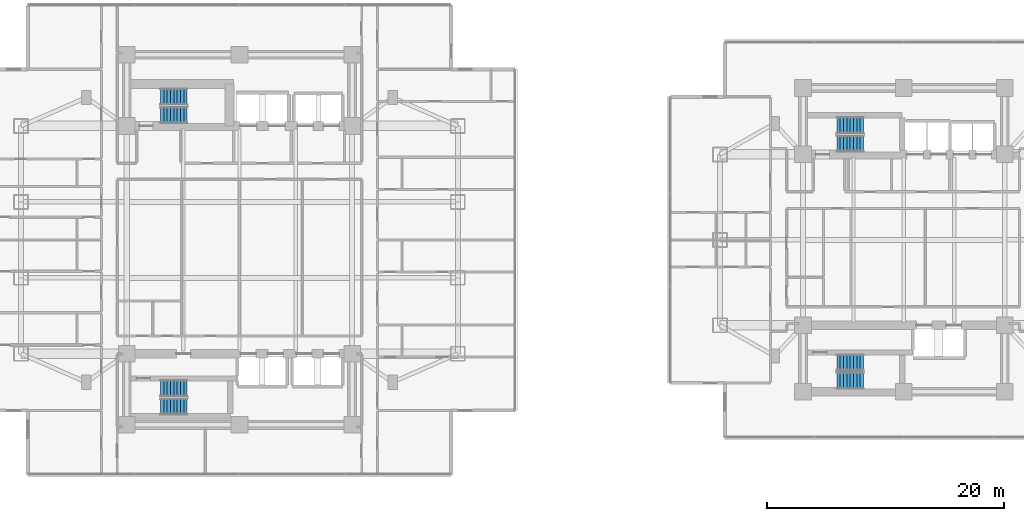
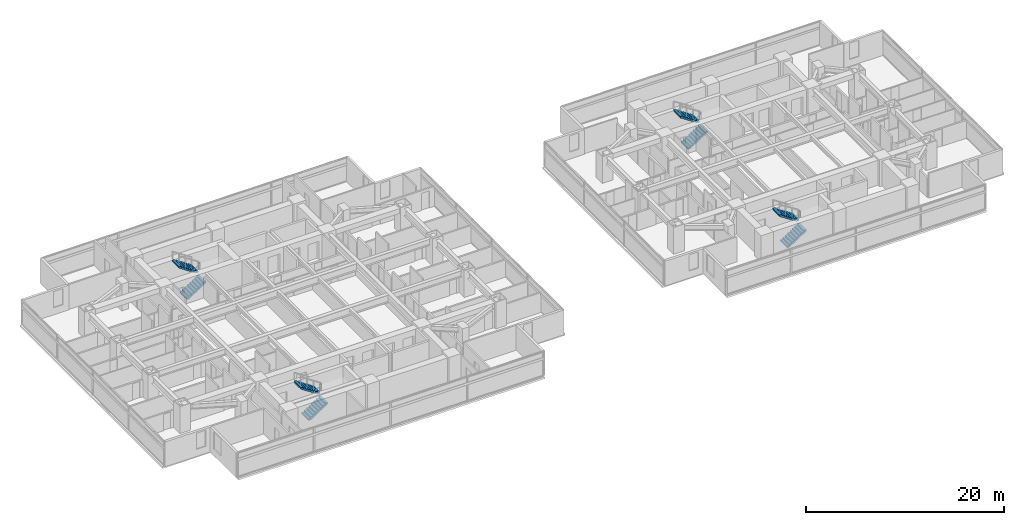
# One storey, part 21 of 26: 8 stair flights, 4 elements without a shape of their own.
"""IFC4 building model written with IfcOpenShell, lengths in metres."""

from ifc_helpers import new_model, si_unit, direction, frame, origin, place, context, subcontext, project, spatial, polyline, outline, extrude, material, type_object, element, aggregate, save


model = new_model("IFC4")

# Units and contexts
model_context = context("Model", 3, precision=1e-05, world=origin(), true_north=direction((0.0, 1.0)))
body_context = subcontext(model_context, "Body", "Model", "MODEL_VIEW")
ifc_project = project(units=[si_unit("LENGTHUNIT", "METRE"), si_unit("AREAUNIT", "SQUARE_METRE"), si_unit("VOLUMEUNIT", "CUBIC_METRE"), si_unit("PLANEANGLEUNIT", "RADIAN"), si_unit("MASSUNIT", "GRAM", prefix="KILO")], contexts=[model_context])

# Site, building, storey
site_placement = place(None, origin())
site = spatial("IfcSite", under=ifc_project, at=site_placement, CompositionType="ELEMENT")
building_placement = place(site_placement, origin())
building = spatial("IfcBuilding", under=site, at=building_placement, Name="Mirazonda Arch Towers", CompositionType="ELEMENT")
storey_placement = place(building_placement, frame((0.0, 0.0, 48.800048828125)))
storey = spatial("IfcBuildingStorey", under=building, at=storey_placement, Name="L13", CompositionType="ELEMENT", Elevation=48.800048828125)

# Stair, stair flights
ifc_material = material(Name="Concrete C40/50", Category="concrete")
stair_type = type_object("IfcStairType", Name="STAIR-CORE-1400", PredefinedType="HALF_TURN_STAIR", material=ifc_material)
stair_1_placement = place(storey_placement, origin())
stair_1 = element("IfcStair", 1, at=stair_1_placement, inside=storey, type_object=stair_type, Name="L13 Protected Exit Stair ST-T1N", PredefinedType="HALF_TURN_STAIR")
stair_flight_type = type_object("IfcStairFlightType", Name="FLIGHT-1400", PredefinedType="STRAIGHT", material=ifc_material)
stair_flight_1_placement = place(storey_placement, frame((13.85009765625, 38.52001953125, 0.0), z_axis=(0.0, 0.0, 1.0), x_axis=(1.0, 0.0, 0.0)))
stair_flight_1 = element("IfcStairFlight", 2, at=stair_flight_1_placement, type_object=stair_flight_type, Name="ST-T1N flight 1", NumberOfRisers=9, NumberOfTreads=8, PredefinedType="STRAIGHT", RiserHeight=0.183333333, TreadLength=0.28, context=body_context, shape_type="SweptSolid", body=[
    extrude(outline(polyline([(0.0, 0.0), (0.0, 0.183349609375), (0.280029296875, 0.183349609375), (0.280029296875, 0.36669921875), (0.56005859375, 0.36669921875), (0.56005859375, 0.550048828125), (0.840087890625, 0.550048828125), (0.840087890625, 0.7333984375), (1.1201171875, 0.7333984375), (1.1201171875, 0.916748046875), (1.39990234375, 0.916748046875), (1.39990234375, 1.10009765625), (1.679931640625, 1.10009765625), (1.679931640625, 1.283447265625), (1.9599609375, 1.283447265625), (1.9599609375, 1.466552734375), (2.239990234375, 1.466552734375), (2.239990234375, 1.64990234375), (2.239990234375, 1.275634765625), (0.2919921875, 0.0), (0.0, 0.0)])), frame((0.0, 0.699951171875, 0.0), z_axis=(0.0, -1.0, 0.0), x_axis=(1.0, 0.0, 0.0)), (0.0, 0.0, 1.0), 1.39990234375),
])
stair_flight_2_placement = place(storey_placement, frame((16.090087890625, 40.06005859375, 1.64990234375), z_axis=(0.0, 0.0, 1.0), x_axis=(-1.0, 0.0, 0.0)))
stair_flight_2 = element("IfcStairFlight", 3, at=stair_flight_2_placement, type_object=stair_flight_type, Name="ST-T1N flight 2", NumberOfRisers=9, NumberOfTreads=8, PredefinedType="STRAIGHT", RiserHeight=0.183333333, TreadLength=0.28, context=body_context, shape_type="SweptSolid", body=[
    extrude(outline(polyline([(0.0, 0.0), (0.0, 0.183349609375), (0.280029296875, 0.183349609375), (0.280029296875, 0.36669921875), (0.56005859375, 0.36669921875), (0.56005859375, 0.550048828125), (0.840087890625, 0.550048828125), (0.840087890625, 0.7333984375), (1.1201171875, 0.7333984375), (1.1201171875, 0.916748046875), (1.39990234375, 0.916748046875), (1.39990234375, 1.10009765625), (1.679931640625, 1.10009765625), (1.679931640625, 1.283447265625), (1.9599609375, 1.283447265625), (1.9599609375, 1.466552734375), (2.239990234375, 1.466552734375), (2.239990234375, 1.64990234375), (2.239990234375, 1.275634765625), (0.2919921875, 0.0), (0.0, 0.0)])), frame((0.0, 0.699951171875, 0.0), z_axis=(0.0, -1.0, 0.0), x_axis=(1.0, 0.0, 0.0)), (0.0, 0.0, 1.0), 1.39990234375),
])
aggregate(stair_1, [stair_flight_1, stair_flight_2])

stair_2_placement = place(storey_placement, origin())
stair_2 = element("IfcStair", 4, at=stair_2_placement, inside=storey, type_object=stair_type, Name="L13 Protected Exit Stair ST-T1S", PredefinedType="HALF_TURN_STAIR")
stair_flight_3_placement = place(storey_placement, frame((13.85009765625, 13.949951171875, 0.0), z_axis=(0.0, 0.0, 1.0), x_axis=(1.0, 0.0, 0.0)))
stair_flight_3 = element("IfcStairFlight", 5, at=stair_flight_3_placement, type_object=stair_flight_type, Name="ST-T1S flight 1", NumberOfRisers=9, NumberOfTreads=8, PredefinedType="STRAIGHT", RiserHeight=0.183333333, TreadLength=0.28, context=body_context, shape_type="SweptSolid", body=[
    extrude(outline(polyline([(0.0, 0.0), (0.0, 0.183349609375), (0.280029296875, 0.183349609375), (0.280029296875, 0.36669921875), (0.56005859375, 0.36669921875), (0.56005859375, 0.550048828125), (0.840087890625, 0.550048828125), (0.840087890625, 0.7333984375), (1.1201171875, 0.7333984375), (1.1201171875, 0.916748046875), (1.39990234375, 0.916748046875), (1.39990234375, 1.10009765625), (1.679931640625, 1.10009765625), (1.679931640625, 1.283447265625), (1.9599609375, 1.283447265625), (1.9599609375, 1.466552734375), (2.239990234375, 1.466552734375), (2.239990234375, 1.64990234375), (2.239990234375, 1.275634765625), (0.2919921875, 0.0), (0.0, 0.0)])), frame((0.0, 0.699951171875, 0.0), z_axis=(0.0, -1.0, 0.0), x_axis=(1.0, 0.0, 0.0)), (0.0, 0.0, 1.0), 1.39990234375),
])
stair_flight_4_placement = place(storey_placement, frame((16.090087890625, 15.489990234375, 1.64990234375), z_axis=(0.0, 0.0, 1.0), x_axis=(-1.0, 0.0, 0.0)))
stair_flight_4 = element("IfcStairFlight", 6, at=stair_flight_4_placement, type_object=stair_flight_type, Name="ST-T1S flight 2", NumberOfRisers=9, NumberOfTreads=8, PredefinedType="STRAIGHT", RiserHeight=0.183333333, TreadLength=0.28, context=body_context, shape_type="SweptSolid", body=[
    extrude(outline(polyline([(0.0, 0.0), (0.0, 0.183349609375), (0.280029296875, 0.183349609375), (0.280029296875, 0.36669921875), (0.56005859375, 0.36669921875), (0.56005859375, 0.550048828125), (0.840087890625, 0.550048828125), (0.840087890625, 0.7333984375), (1.1201171875, 0.7333984375), (1.1201171875, 0.916748046875), (1.39990234375, 0.916748046875), (1.39990234375, 1.10009765625), (1.679931640625, 1.10009765625), (1.679931640625, 1.283447265625), (1.9599609375, 1.283447265625), (1.9599609375, 1.466552734375), (2.239990234375, 1.466552734375), (2.239990234375, 1.64990234375), (2.239990234375, 1.275634765625), (0.2919921875, 0.0), (0.0, 0.0)])), frame((0.0, 0.699951171875, 0.0), z_axis=(0.0, -1.0, 0.0), x_axis=(1.0, 0.0, 0.0)), (0.0, 0.0, 1.0), 1.39990234375),
])
aggregate(stair_2, [stair_flight_3, stair_flight_4])

stair_3_placement = place(storey_placement, origin())
stair_3 = element("IfcStair", 7, at=stair_3_placement, inside=storey, type_object=stair_type, Name="L13 Protected Exit Stair ST-T2N", PredefinedType="HALF_TURN_STAIR")
stair_flight_5_placement = place(storey_placement, frame((70.85009765625, 36.1201171875, 0.0), z_axis=(0.0, 0.0, 1.0), x_axis=(1.0, 0.0, 0.0)))
stair_flight_5 = element("IfcStairFlight", 8, at=stair_flight_5_placement, type_object=stair_flight_type, Name="ST-T2N flight 1", NumberOfRisers=9, NumberOfTreads=8, PredefinedType="STRAIGHT", RiserHeight=0.183333333, TreadLength=0.28, context=body_context, shape_type="SweptSolid", body=[
    extrude(outline(polyline([(0.0, 0.0), (0.0, 0.183349609375), (0.280029296875, 0.183349609375), (0.280029296875, 0.36669921875), (0.56005859375, 0.36669921875), (0.56005859375, 0.550048828125), (0.840087890625, 0.550048828125), (0.840087890625, 0.7333984375), (1.1201171875, 0.7333984375), (1.1201171875, 0.916748046875), (1.39990234375, 0.916748046875), (1.39990234375, 1.10009765625), (1.679931640625, 1.10009765625), (1.679931640625, 1.283447265625), (1.9599609375, 1.283447265625), (1.9599609375, 1.466552734375), (2.239990234375, 1.466552734375), (2.239990234375, 1.64990234375), (2.239990234375, 1.275634765625), (0.2919921875, 0.0), (0.0, 0.0)])), frame((0.0, 0.699951171875, 0.0), z_axis=(0.0, -1.0, 0.0), x_axis=(1.0, 0.0, 0.0)), (0.0, 0.0, 1.0), 1.39990234375),
])
stair_flight_6_placement = place(storey_placement, frame((73.090087890625, 37.659912109375, 1.64990234375), z_axis=(0.0, 0.0, 1.0), x_axis=(-1.0, 0.0, 0.0)))
stair_flight_6 = element("IfcStairFlight", 9, at=stair_flight_6_placement, type_object=stair_flight_type, Name="ST-T2N flight 2", NumberOfRisers=9, NumberOfTreads=8, PredefinedType="STRAIGHT", RiserHeight=0.183333333, TreadLength=0.28, context=body_context, shape_type="SweptSolid", body=[
    extrude(outline(polyline([(0.0, 0.0), (0.0, 0.183349609375), (0.280029296875, 0.183349609375), (0.280029296875, 0.36669921875), (0.56005859375, 0.36669921875), (0.56005859375, 0.550048828125), (0.840087890625, 0.550048828125), (0.840087890625, 0.7333984375), (1.1201171875, 0.7333984375), (1.1201171875, 0.916748046875), (1.39990234375, 0.916748046875), (1.39990234375, 1.10009765625), (1.679931640625, 1.10009765625), (1.679931640625, 1.283447265625), (1.9599609375, 1.283447265625), (1.9599609375, 1.466552734375), (2.239990234375, 1.466552734375), (2.239990234375, 1.64990234375), (2.239990234375, 1.275634765625), (0.2919921875, 0.0), (0.0, 0.0)])), frame((0.0, 0.699951171875, 0.0), z_axis=(0.0, -1.0, 0.0), x_axis=(1.0, 0.0, 0.0)), (0.0, 0.0, 1.0), 1.39990234375),
])
aggregate(stair_3, [stair_flight_5, stair_flight_6])

stair_4_placement = place(storey_placement, origin())
stair_4 = element("IfcStair", 10, at=stair_4_placement, inside=storey, type_object=stair_type, Name="L13 Protected Exit Stair ST-T2S", PredefinedType="HALF_TURN_STAIR")
stair_flight_7_placement = place(storey_placement, frame((70.85009765625, 16.1201171875, 0.0), z_axis=(0.0, 0.0, 1.0), x_axis=(1.0, 0.0, 0.0)))
stair_flight_7 = element("IfcStairFlight", 11, at=stair_flight_7_placement, type_object=stair_flight_type, Name="ST-T2S flight 1", NumberOfRisers=9, NumberOfTreads=8, PredefinedType="STRAIGHT", RiserHeight=0.183333333, TreadLength=0.28, context=body_context, shape_type="SweptSolid", body=[
    extrude(outline(polyline([(0.0, 0.0), (0.0, 0.183349609375), (0.280029296875, 0.183349609375), (0.280029296875, 0.36669921875), (0.56005859375, 0.36669921875), (0.56005859375, 0.550048828125), (0.840087890625, 0.550048828125), (0.840087890625, 0.7333984375), (1.1201171875, 0.7333984375), (1.1201171875, 0.916748046875), (1.39990234375, 0.916748046875), (1.39990234375, 1.10009765625), (1.679931640625, 1.10009765625), (1.679931640625, 1.283447265625), (1.9599609375, 1.283447265625), (1.9599609375, 1.466552734375), (2.239990234375, 1.466552734375), (2.239990234375, 1.64990234375), (2.239990234375, 1.275634765625), (0.2919921875, 0.0), (0.0, 0.0)])), frame((0.0, 0.699951171875, 0.0), z_axis=(0.0, -1.0, 0.0), x_axis=(1.0, 0.0, 0.0)), (0.0, 0.0, 1.0), 1.39990234375),
])
stair_flight_8_placement = place(storey_placement, frame((73.090087890625, 17.659912109375, 1.64990234375), z_axis=(0.0, 0.0, 1.0), x_axis=(-1.0, 0.0, 0.0)))
stair_flight_8 = element("IfcStairFlight", 12, at=stair_flight_8_placement, type_object=stair_flight_type, Name="ST-T2S flight 2", NumberOfRisers=9, NumberOfTreads=8, PredefinedType="STRAIGHT", RiserHeight=0.183333333, TreadLength=0.28, context=body_context, shape_type="SweptSolid", body=[
    extrude(outline(polyline([(0.0, 0.0), (0.0, 0.183349609375), (0.280029296875, 0.183349609375), (0.280029296875, 0.36669921875), (0.56005859375, 0.36669921875), (0.56005859375, 0.550048828125), (0.840087890625, 0.550048828125), (0.840087890625, 0.7333984375), (1.1201171875, 0.7333984375), (1.1201171875, 0.916748046875), (1.39990234375, 0.916748046875), (1.39990234375, 1.10009765625), (1.679931640625, 1.10009765625), (1.679931640625, 1.283447265625), (1.9599609375, 1.283447265625), (1.9599609375, 1.466552734375), (2.239990234375, 1.466552734375), (2.239990234375, 1.64990234375), (2.239990234375, 1.275634765625), (0.2919921875, 0.0), (0.0, 0.0)])), frame((0.0, 0.699951171875, 0.0), z_axis=(0.0, -1.0, 0.0), x_axis=(1.0, 0.0, 0.0)), (0.0, 0.0, 1.0), 1.39990234375),
])
aggregate(stair_4, [stair_flight_7, stair_flight_8])

save(model, "model.ifc")
